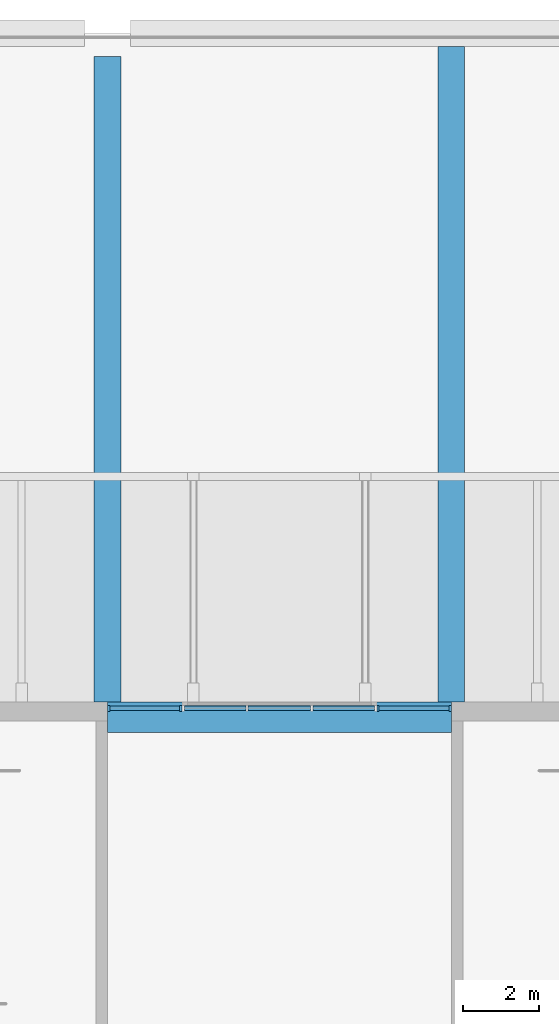
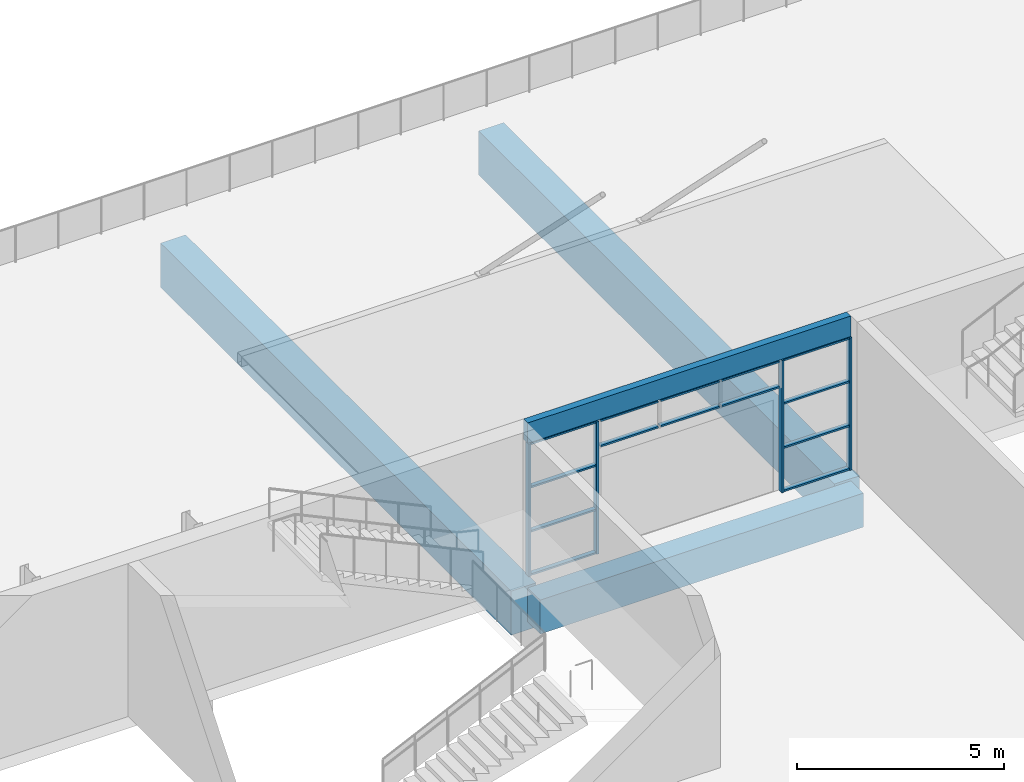
# One storey, part 64 of 168: 18 members, 4 beams, 3 elements without a shape of their own.
"""IFC4 building model written with IfcOpenShell, lengths in metres."""

from ifc_helpers import new_model, si_unit, direction, frame, origin, origin_2d, place, context, subcontext, project, spatial, rectangle, extrude, material, material_profile, profile_set, type_object, element, aggregate, save


model = new_model("IFC4")

# Units and contexts
model_context = context("Model", 3, precision=1e-05, world=origin(), true_north=direction((0.0, 1.0)))
body_context = subcontext(model_context, "Body", "Model", "MODEL_VIEW")
ifc_project = project(units=[si_unit("LENGTHUNIT", "METRE"), si_unit("AREAUNIT", "SQUARE_METRE"), si_unit("VOLUMEUNIT", "CUBIC_METRE"), si_unit("PLANEANGLEUNIT", "RADIAN"), si_unit("MASSUNIT", "GRAM", prefix="KILO")], contexts=[model_context])

# Site, building, storey
site_placement = place(None, origin())
site = spatial("IfcSite", under=ifc_project, at=site_placement, CompositionType="ELEMENT")
building_placement = place(site_placement, origin())
building = spatial("IfcBuilding", under=site, at=building_placement, Name="Silverbay Arena", CompositionType="ELEMENT")
storey_placement = place(building_placement, frame((0.0, 0.0, 7.0)))
storey = spatial("IfcBuildingStorey", under=building, at=storey_placement, Name="L01", CompositionType="ELEMENT", Elevation=7.0)

# Curtain wall, members
ifc_material_1 = material(Name="Aluminium framed curtain wall", Category="aluminium")
curtain_wall_type_1 = type_object("IfcCurtainWallType", Name="Curtain wall 1950 x 3900", PredefinedType="NOTDEFINED", material=ifc_material_1)
curtain_wall_1_placement = place(storey_placement, origin())
curtain_wall_1 = element("IfcCurtainWall", 1, at=curtain_wall_1_placement, inside=storey, type_object=curtain_wall_type_1, Name="North curtain wall L01 bay 18", PredefinedType="NOTDEFINED")
ifc_material_2 = material(Name="Aluminium", Category="aluminium")
ifc_material_profile_1 = material_profile(ifc_material_2, rectangle(XDim=0.159912109375, YDim=0.06005859375, at=origin_2d()), Name="Mullion 60 x 160")
ifc_profile_set_1 = profile_set([ifc_material_profile_1], Name="Aluminium")
member_type_1 = type_object("IfcMemberType", Name="Mullion 60 x 160", PredefinedType="MULLION", material=ifc_profile_set_1)
member_1_placement = place(storey_placement, frame((181.919921875, 144.330078125, 0.0), z_axis=(0.0, 0.0, 1.0), x_axis=(0.0, -1.0, 0.0)))
member_1 = element("IfcMember", 2, at=member_1_placement, type_object=member_type_1, Name="CW2 mullion 1", PredefinedType="MULLION", context=body_context, shape_type="SweptSolid", body=[
    extrude(rectangle(XDim=0.159912109375, YDim=0.06005859375, at=origin_2d()), origin(), (0.0, 0.0, 1.0), 3.89990234375),
])
member_2_placement = place(storey_placement, frame((180.030029296875, 144.330078125, 0.0), z_axis=(0.0, 0.0, 1.0), x_axis=(0.0, -1.0, 0.0)))
member_2 = element("IfcMember", 3, at=member_2_placement, type_object=member_type_1, Name="CW2 mullion 2", PredefinedType="MULLION", context=body_context, shape_type="SweptSolid", body=[
    extrude(rectangle(XDim=0.159912109375, YDim=0.06005859375, at=origin_2d()), origin(), (0.0, 0.0, 1.0), 3.89990234375),
])

curtain_wall_2_placement = place(storey_placement, origin())
curtain_wall_2 = element("IfcCurtainWall", 4, at=curtain_wall_2_placement, inside=storey, type_object=curtain_wall_type_1, Name="North curtain wall L01 bay 18", PredefinedType="NOTDEFINED")
member_3_placement = place(storey_placement, frame((188.969970703125, 144.330078125, 0.0), z_axis=(0.0, 0.0, 1.0), x_axis=(0.0, -1.0, 0.0)))
member_3 = element("IfcMember", 5, at=member_3_placement, type_object=member_type_1, Name="CW2 mullion 1", PredefinedType="MULLION", context=body_context, shape_type="SweptSolid", body=[
    extrude(rectangle(XDim=0.159912109375, YDim=0.06005859375, at=origin_2d()), origin(), (0.0, 0.0, 1.0), 3.89990234375),
])
member_4_placement = place(storey_placement, frame((187.080078125, 144.330078125, 0.0), z_axis=(0.0, 0.0, 1.0), x_axis=(0.0, -1.0, 0.0)))
member_4 = element("IfcMember", 6, at=member_4_placement, type_object=member_type_1, Name="CW2 mullion 2", PredefinedType="MULLION", context=body_context, shape_type="SweptSolid", body=[
    extrude(rectangle(XDim=0.159912109375, YDim=0.06005859375, at=origin_2d()), origin(), (0.0, 0.0, 1.0), 3.89990234375),
])

# Beams
ifc_material_3 = material(Name="Concrete Grade C45", Category="concrete")
ifc_material_profile_2 = material_profile(ifc_material_3, rectangle(XDim=0.60009765625, YDim=1.0, at=origin_2d()), Name="RC 600x1000")
ifc_profile_set_2 = profile_set([ifc_material_profile_2], Name="Concrete Grade C45")
beam_type_1 = type_object("IfcBeamType", Name="RC beam 600x1000", PredefinedType="BEAM", material=ifc_profile_set_2)
beam_1_placement = place(storey_placement, frame((180.0, 144.0, -0.85009765625), z_axis=(1.0, 0.0, 0.0), x_axis=(0.0, 1.0, 0.0)))
element("IfcBeam", 7, at=beam_1_placement, inside=storey, type_object=beam_type_1, Name="Floor beam L01 178", PredefinedType="BEAM", context=body_context, shape_type="SweptSolid", body=[
    extrude(rectangle(XDim=0.60009765625, YDim=1.0, at=origin_2d()), origin(), (0.0, 0.0, 1.0), 9.0),
])
ifc_material_4 = material(Name="Concrete Grade C45", Category="concrete")
ifc_material_profile_3 = material_profile(ifc_material_4, rectangle(XDim=0.199951171875, YDim=0.60009765625, at=origin_2d()), Name="RC 200x600")
ifc_profile_set_3 = profile_set([ifc_material_profile_3], Name="Concrete Grade C45")
beam_type_2 = type_object("IfcBeamType", Name="RC facade beam 200x600", PredefinedType="SPANDREL", material=ifc_profile_set_3)
beam_2_placement = place(storey_placement, frame((180.0, 144.39990234375, 4.199951171875), z_axis=(1.0, 0.0, 0.0), x_axis=(0.0, 1.0, 0.0)))
element("IfcBeam", 8, at=beam_2_placement, inside=storey, type_object=beam_type_2, Name="Facade beam L01 north", PredefinedType="SPANDREL", context=body_context, shape_type="SweptSolid", body=[
    extrude(rectangle(XDim=0.199951171875, YDim=0.60009765625, at=origin_2d()), origin(), (0.0, 0.0, 1.0), 9.0),
])
ifc_material_5 = material(Name="Concrete Grade C45", Category="concrete")
ifc_material_profile_4 = material_profile(ifc_material_5, rectangle(XDim=0.699951171875, YDim=1.300048828125, at=origin_2d()), Name="RC 700x1300")
ifc_profile_set_4 = profile_set([ifc_material_profile_4], Name="Concrete Grade C45")
beam_type_3 = type_object("IfcBeamType", Name="RC girder 700x1300", PredefinedType="BEAM", material=ifc_profile_set_4)
beam_3_placement = place(storey_placement, frame((180.0, 144.5, -1.10009765625), z_axis=(0.0, 1.0, 0.0), x_axis=(-1.0, 0.0, 0.0)))
element("IfcBeam", 9, at=beam_3_placement, inside=storey, type_object=beam_type_3, Name="Deck secondary beam 132", PredefinedType="BEAM", context=body_context, shape_type="SweptSolid", body=[
    extrude(rectangle(XDim=0.699951171875, YDim=1.300048828125, at=origin_2d()), origin(), (0.0, 0.0, 1.0), 16.89990234375),
])
beam_4_placement = place(storey_placement, frame((189.0, 144.5, -1.10009765625), z_axis=(0.0, 1.0, 0.0), x_axis=(-1.0, 0.0, 0.0)))
element("IfcBeam", 10, at=beam_4_placement, inside=storey, type_object=beam_type_3, Name="Deck secondary beam 134", PredefinedType="BEAM", context=body_context, shape_type="SweptSolid", body=[
    extrude(rectangle(XDim=0.699951171875, YDim=1.300048828125, at=origin_2d()), origin(), (0.0, 0.0, 1.0), 17.14990234375),
])

# Member
ifc_material_6 = material(Name="Aluminium", Category="aluminium")
ifc_material_profile_5 = material_profile(ifc_material_6, rectangle(XDim=0.1201171875, YDim=0.050048828125, at=origin_2d()), Name="Transom 50 x 120")
ifc_profile_set_5 = profile_set([ifc_material_profile_5], Name="Aluminium")
member_type_2 = type_object("IfcMemberType", Name="Transom 50 x 120", PredefinedType="USERDEFINED", material=ifc_profile_set_5)
member_5_placement = place(storey_placement, frame((181.889892578125, 144.330078125, 0.02490234375), z_axis=(-1.0, 0.0, 0.0), x_axis=(0.0, -1.0, 0.0)))
member_5 = element("IfcMember", 11, at=member_5_placement, type_object=member_type_2, Name="CW2 transom 1.1", ObjectType="TRANSOM", PredefinedType="USERDEFINED", context=body_context, shape_type="SweptSolid", body=[
    extrude(rectangle(XDim=0.1201171875, YDim=0.050048828125, at=origin_2d()), origin(), (0.0, 0.0, 1.0), 1.829833984375),
])

member_6_placement = place(storey_placement, frame((181.889892578125, 144.330078125, 1.300048828125), z_axis=(-1.0, 0.0, 0.0), x_axis=(0.0, -1.0, 0.0)))
member_6 = element("IfcMember", 12, at=member_6_placement, type_object=member_type_2, Name="CW2 transom 1.2", ObjectType="TRANSOM", PredefinedType="USERDEFINED", context=body_context, shape_type="SweptSolid", body=[
    extrude(rectangle(XDim=0.1201171875, YDim=0.050048828125, at=origin_2d()), origin(), (0.0, 0.0, 1.0), 1.829833984375),
])

member_7_placement = place(storey_placement, frame((181.889892578125, 144.330078125, 2.60009765625), z_axis=(-1.0, 0.0, 0.0), x_axis=(0.0, -1.0, 0.0)))
member_7 = element("IfcMember", 13, at=member_7_placement, type_object=member_type_2, Name="CW2 transom 1.3", ObjectType="TRANSOM", PredefinedType="USERDEFINED", context=body_context, shape_type="SweptSolid", body=[
    extrude(rectangle(XDim=0.1201171875, YDim=0.050048828125, at=origin_2d()), origin(), (0.0, 0.0, 1.0), 1.829833984375),
])

member_8_placement = place(storey_placement, frame((181.889892578125, 144.330078125, 3.875), z_axis=(-1.0, 0.0, 0.0), x_axis=(0.0, -1.0, 0.0)))
member_8 = element("IfcMember", 14, at=member_8_placement, type_object=member_type_2, Name="CW2 transom 1.4", ObjectType="TRANSOM", PredefinedType="USERDEFINED", context=body_context, shape_type="SweptSolid", body=[
    extrude(rectangle(XDim=0.1201171875, YDim=0.050048828125, at=origin_2d()), origin(), (0.0, 0.0, 1.0), 1.829833984375),
])

aggregate(curtain_wall_1, [member_1, member_2, member_5, member_6, member_7, member_8])

member_9_placement = place(storey_placement, frame((188.93994140625, 144.330078125, 0.02490234375), z_axis=(-1.0, 0.0, 0.0), x_axis=(0.0, -1.0, 0.0)))
member_9 = element("IfcMember", 15, at=member_9_placement, type_object=member_type_2, Name="CW2 transom 1.1", ObjectType="TRANSOM", PredefinedType="USERDEFINED", context=body_context, shape_type="SweptSolid", body=[
    extrude(rectangle(XDim=0.1201171875, YDim=0.050048828125, at=origin_2d()), origin(), (0.0, 0.0, 1.0), 1.829833984375),
])

member_10_placement = place(storey_placement, frame((188.93994140625, 144.330078125, 1.300048828125), z_axis=(-1.0, 0.0, 0.0), x_axis=(0.0, -1.0, 0.0)))
member_10 = element("IfcMember", 16, at=member_10_placement, type_object=member_type_2, Name="CW2 transom 1.2", ObjectType="TRANSOM", PredefinedType="USERDEFINED", context=body_context, shape_type="SweptSolid", body=[
    extrude(rectangle(XDim=0.1201171875, YDim=0.050048828125, at=origin_2d()), origin(), (0.0, 0.0, 1.0), 1.829833984375),
])

member_11_placement = place(storey_placement, frame((188.93994140625, 144.330078125, 2.60009765625), z_axis=(-1.0, 0.0, 0.0), x_axis=(0.0, -1.0, 0.0)))
member_11 = element("IfcMember", 17, at=member_11_placement, type_object=member_type_2, Name="CW2 transom 1.3", ObjectType="TRANSOM", PredefinedType="USERDEFINED", context=body_context, shape_type="SweptSolid", body=[
    extrude(rectangle(XDim=0.1201171875, YDim=0.050048828125, at=origin_2d()), origin(), (0.0, 0.0, 1.0), 1.829833984375),
])

member_12_placement = place(storey_placement, frame((188.93994140625, 144.330078125, 3.875), z_axis=(-1.0, 0.0, 0.0), x_axis=(0.0, -1.0, 0.0)))
member_12 = element("IfcMember", 18, at=member_12_placement, type_object=member_type_2, Name="CW2 transom 1.4", ObjectType="TRANSOM", PredefinedType="USERDEFINED", context=body_context, shape_type="SweptSolid", body=[
    extrude(rectangle(XDim=0.1201171875, YDim=0.050048828125, at=origin_2d()), origin(), (0.0, 0.0, 1.0), 1.829833984375),
])

aggregate(curtain_wall_2, [member_3, member_4, member_9, member_10, member_11, member_12])

# Curtain wall, members
ifc_material_7 = material(Name="Aluminium framed curtain wall", Category="aluminium")
curtain_wall_type_2 = type_object("IfcCurtainWallType", Name="Curtain wall 5100 x 800", PredefinedType="NOTDEFINED", material=ifc_material_7)
curtain_wall_3_placement = place(storey_placement, origin())
curtain_wall_3 = element("IfcCurtainWall", 19, at=curtain_wall_3_placement, inside=storey, type_object=curtain_wall_type_2, Name="North curtain wall L01 bay 18", PredefinedType="NOTDEFINED")
member_13_placement = place(storey_placement, frame((186.989990234375, 144.330078125, 3.125), z_axis=(-1.0, 0.0, 0.0), x_axis=(0.0, -1.0, 0.0)))
member_13 = element("IfcMember", 20, at=member_13_placement, type_object=member_type_2, Name="CW3 transom 1.1", ObjectType="TRANSOM", PredefinedType="USERDEFINED", context=body_context, shape_type="SweptSolid", body=[
    extrude(rectangle(XDim=0.1201171875, YDim=0.050048828125, at=origin_2d()), origin(), (0.0, 0.0, 1.0), 1.610107421875),
])
member_14_placement = place(storey_placement, frame((186.989990234375, 144.330078125, 3.875), z_axis=(-1.0, 0.0, 0.0), x_axis=(0.0, -1.0, 0.0)))
member_14 = element("IfcMember", 21, at=member_14_placement, type_object=member_type_2, Name="CW3 transom 1.2", ObjectType="TRANSOM", PredefinedType="USERDEFINED", context=body_context, shape_type="SweptSolid", body=[
    extrude(rectangle(XDim=0.1201171875, YDim=0.050048828125, at=origin_2d()), origin(), (0.0, 0.0, 1.0), 1.610107421875),
])
member_15_placement = place(storey_placement, frame((185.320068359375, 144.330078125, 3.125), z_axis=(-1.0, 0.0, 0.0), x_axis=(0.0, -1.0, 0.0)))
member_15 = element("IfcMember", 22, at=member_15_placement, type_object=member_type_2, Name="CW3 transom 2.1", ObjectType="TRANSOM", PredefinedType="USERDEFINED", context=body_context, shape_type="SweptSolid", body=[
    extrude(rectangle(XDim=0.1201171875, YDim=0.050048828125, at=origin_2d()), origin(), (0.0, 0.0, 1.0), 1.64013671875),
])
member_16_placement = place(storey_placement, frame((185.320068359375, 144.330078125, 3.875), z_axis=(-1.0, 0.0, 0.0), x_axis=(0.0, -1.0, 0.0)))
member_16 = element("IfcMember", 23, at=member_16_placement, type_object=member_type_2, Name="CW3 transom 2.2", ObjectType="TRANSOM", PredefinedType="USERDEFINED", context=body_context, shape_type="SweptSolid", body=[
    extrude(rectangle(XDim=0.1201171875, YDim=0.050048828125, at=origin_2d()), origin(), (0.0, 0.0, 1.0), 1.64013671875),
])
member_17_placement = place(storey_placement, frame((183.6201171875, 144.330078125, 3.125), z_axis=(-1.0, 0.0, 0.0), x_axis=(0.0, -1.0, 0.0)))
member_17 = element("IfcMember", 24, at=member_17_placement, type_object=member_type_2, Name="CW3 transom 3.1", ObjectType="TRANSOM", PredefinedType="USERDEFINED", context=body_context, shape_type="SweptSolid", body=[
    extrude(rectangle(XDim=0.1201171875, YDim=0.050048828125, at=origin_2d()), origin(), (0.0, 0.0, 1.0), 1.610107421875),
])
member_18_placement = place(storey_placement, frame((183.6201171875, 144.330078125, 3.875), z_axis=(-1.0, 0.0, 0.0), x_axis=(0.0, -1.0, 0.0)))
member_18 = element("IfcMember", 25, at=member_18_placement, type_object=member_type_2, Name="CW3 transom 3.2", ObjectType="TRANSOM", PredefinedType="USERDEFINED", context=body_context, shape_type="SweptSolid", body=[
    extrude(rectangle(XDim=0.1201171875, YDim=0.050048828125, at=origin_2d()), origin(), (0.0, 0.0, 1.0), 1.610107421875),
])
aggregate(curtain_wall_3, [member_13, member_14, member_15, member_16, member_17, member_18])

save(model, "model.ifc")
